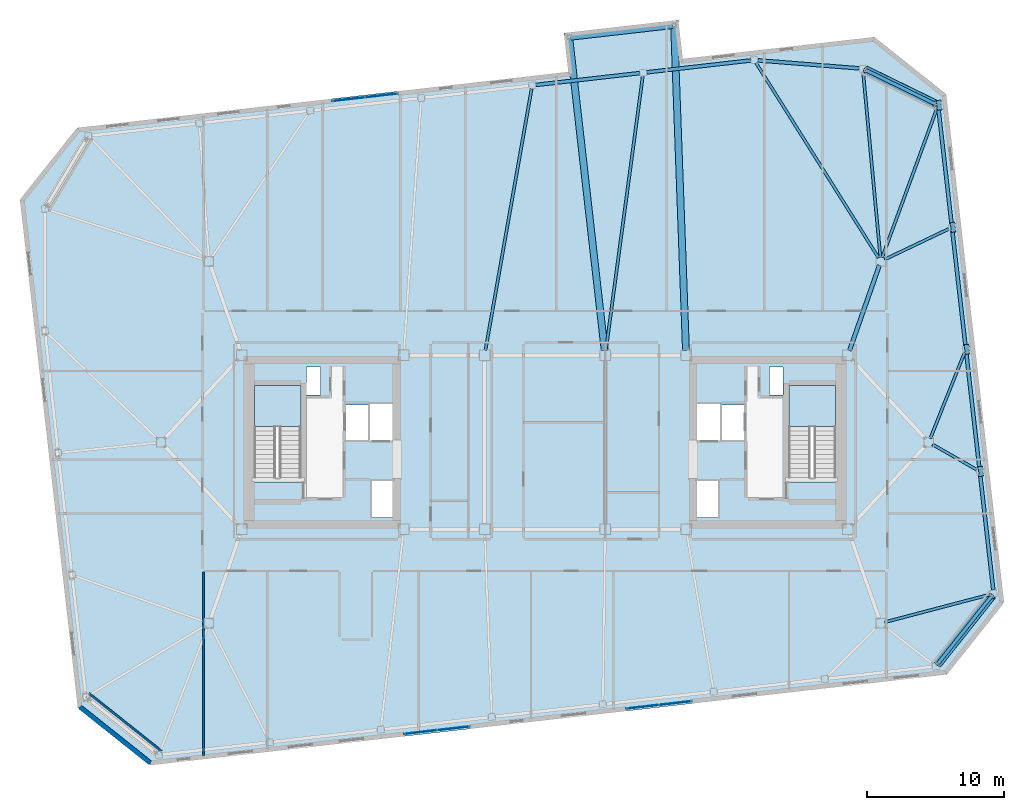
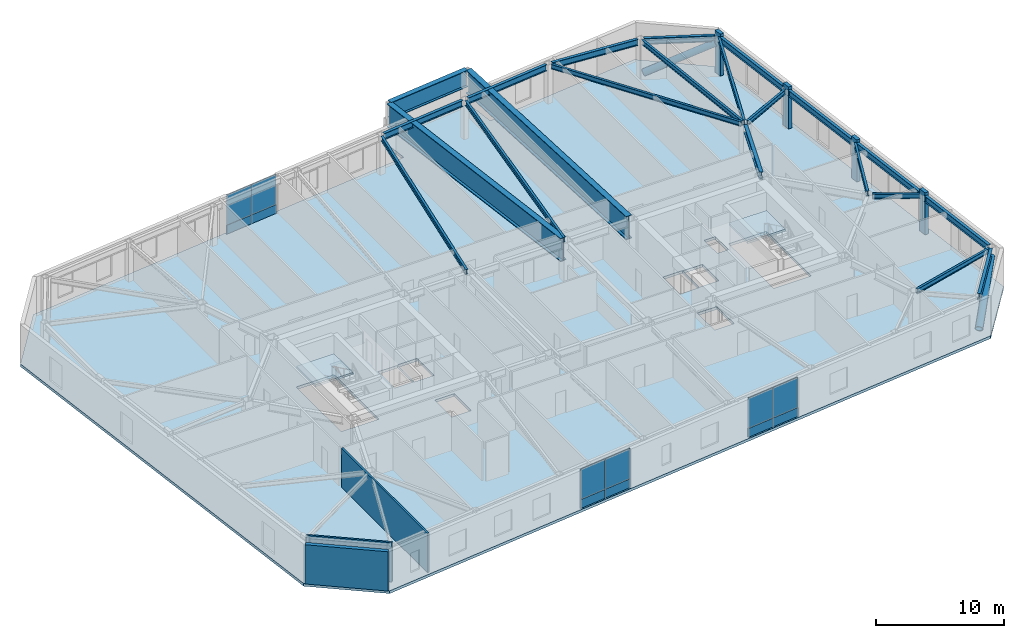
# One storey, part 11 of 19: 22 beams, 12 plates, 6 members, 3 slabs, 3 walls, 5 elements without a shape of their own.
"""IFC4 building model written with IfcOpenShell, lengths in metres."""

from ifc_helpers import new_model, si_unit, direction, frame, frame_2d, origin, origin_2d, place, context, subcontext, project, spatial, polyline, rectangle, hollow_circle, i_section, outline, extrude, material, layer, layer_set, material_profile, profile_set, type_object, element, aggregate, save


model = new_model("IFC4")

# Units and contexts
model_context = context("Model", 3, precision=1e-05, world=origin(), true_north=direction((0.0, 1.0)))
body_context = subcontext(model_context, "Body", "Model", "MODEL_VIEW")
ifc_project = project(units=[si_unit("LENGTHUNIT", "METRE"), si_unit("AREAUNIT", "SQUARE_METRE"), si_unit("VOLUMEUNIT", "CUBIC_METRE"), si_unit("PLANEANGLEUNIT", "RADIAN"), si_unit("MASSUNIT", "GRAM", prefix="KILO")], contexts=[model_context])

# Site, building, storey
site_placement = place(None, origin())
site = spatial("IfcSite", under=ifc_project, at=site_placement, CompositionType="ELEMENT")
building_placement = place(site_placement, origin())
building = spatial("IfcBuilding", under=site, at=building_placement, Name="Tavrogorsk Clinical Tower", CompositionType="ELEMENT")
storey_placement = place(building_placement, frame((0.0, 0.0, 243.0)))
storey = spatial("IfcBuildingStorey", under=building, at=storey_placement, Name="L56", CompositionType="ELEMENT", Elevation=243.0)

# Members
ifc_material_1 = material(Name="Structural steel S440", Category="steel")
ifc_material_profile_1 = material_profile(ifc_material_1, hollow_circle(Radius=0.304931640625, WallThickness=0.02490234375, at=origin_2d()), Name="CHS-610x25")
ifc_profile_set_1 = profile_set([ifc_material_profile_1], Name="Structural steel S440")
member_type_1 = type_object("IfcMemberType", Name="ExoBrace_CHS610", PredefinedType="BRACE", material=ifc_profile_set_1)
member_1_placement = place(storey_placement, frame((28.6572265625, -16.15869140625, 0.398193359375), z_axis=(0.575789482159, 0.723851679348, 0.380138420237), x_axis=(-0.782601910855, 0.622522488852, 0.0)))
element("IfcMember", 1, at=member_1_placement, inside=storey, type_object=member_type_1, Name="L56 Corner Exoskeleton Brace S8-E1", PredefinedType="BRACE", context=body_context, shape_type="SweptSolid", body=[
    extrude(hollow_circle(Radius=0.304931640625, WallThickness=0.02490234375, at=origin_2d()), origin(), (0.0, 0.0, 1.0), 6.8232421875),
])
member_2_placement = place(storey_placement, frame((23.399169921875, 27.150634765625, 0.4072265625), z_axis=(0.817526882464, -0.398699450942, 0.41555811178), x_axis=(0.438340015424, 0.898809229413, 0.0)))
element("IfcMember", 2, at=member_2_placement, inside=storey, type_object=member_type_1, Name="L56 Corner Exoskeleton Brace E5-N1", PredefinedType="BRACE", context=body_context, shape_type="SweptSolid", body=[
    extrude(hollow_circle(Radius=0.304931640625, WallThickness=0.02490234375, at=origin_2d()), origin(), (0.0, 0.0, 1.0), 6.1982421875),
])

# Beams
ifc_material_2 = material(Name="Structural steel S355", Category="steel")
ifc_material_profile_2 = material_profile(ifc_material_2, i_section(OverallWidth=0.199951171875, OverallDepth=0.449951171875, WebThickness=0.011474609375, FlangeThickness=0.01806640625, at=origin_2d()), Name="B-450x200x11.5x18")
ifc_profile_set_2 = profile_set([ifc_material_profile_2], Name="Structural steel S355")
beam_type_1 = type_object("IfcBeamType", Name="FloorBeam_B450", PredefinedType="BEAM", material=ifc_profile_set_2)
beam_1_placement = place(storey_placement, frame((24.47119140625, 13.508544921875, 3.514892578125), z_axis=(-0.092940409745, 0.99567167291, 0.0), x_axis=(-0.99567167291, -0.092940409745, 0.0)))
element("IfcBeam", 3, at=beam_1_placement, inside=storey, type_object=beam_type_1, Name="L56 Radial Floor Beam N1", PredefinedType="BEAM", context=body_context, shape_type="SweptSolid", body=[
    extrude(i_section(OverallWidth=0.199951171875, OverallDepth=0.449951171875, WebThickness=0.011474609375, FlangeThickness=0.01806640625, at=origin_2d()), origin(), (0.0, 0.0, 1.0), 13.546630859375),
])
beam_2_placement = place(storey_placement, frame((24.3349609375, 13.46240234375, 3.514892578125), z_axis=(-0.53234144439, 0.84652973166, 0.0), x_axis=(-0.84652973166, -0.53234144439, 0.0)))
element("IfcBeam", 4, at=beam_2_placement, inside=storey, type_object=beam_type_1, Name="L56 Radial Floor Beam N2", PredefinedType="BEAM", context=body_context, shape_type="SweptSolid", body=[
    extrude(i_section(OverallWidth=0.199951171875, OverallDepth=0.449951171875, WebThickness=0.011474609375, FlangeThickness=0.01806640625, at=origin_2d()), origin(), (0.0, 0.0, 1.0), 16.7734375),
])
beam_3_placement = place(storey_placement, frame((4.447998046875, 6.706787109375, 3.514892578125), z_axis=(0.133328812355, 0.991071858039, 0.0), x_axis=(-0.991071858039, 0.133328812355, 0.0)))
element("IfcBeam", 5, at=beam_3_placement, inside=storey, type_object=beam_type_1, Name="L56 Radial Floor Beam N3", PredefinedType="BEAM", context=body_context, shape_type="SweptSolid", body=[
    extrude(i_section(OverallWidth=0.199951171875, OverallDepth=0.449951171875, WebThickness=0.011474609375, FlangeThickness=0.01806640625, at=origin_2d()), origin(), (0.0, 0.0, 1.0), 20.17529296875),
])
beam_4_placement = place(storey_placement, frame((-4.33740234375, 6.70458984375, 3.514892578125), z_axis=(0.173894614236, 0.984764267802, 0.0), x_axis=(-0.984764267802, 0.173894614236, 0.0)))
element("IfcBeam", 6, at=beam_4_placement, inside=storey, type_object=beam_type_1, Name="L56 Radial Floor Beam N4", PredefinedType="BEAM", context=body_context, shape_type="SweptSolid", body=[
    extrude(i_section(OverallWidth=0.199951171875, OverallDepth=0.449951171875, WebThickness=0.011474609375, FlangeThickness=0.01806640625, at=origin_2d()), origin(), (0.0, 0.0, 1.0), 19.371826171875),
])
beam_5_placement = place(storey_placement, frame((24.7998046875, -13.12109375, 3.514892578125), z_axis=(0.967072149487, 0.254502372652, 0.0), x_axis=(-0.254502372652, 0.967072149487, 0.0)))
element("IfcBeam", 7, at=beam_5_placement, inside=storey, type_object=beam_type_1, Name="L56 Radial Floor Beam E1", PredefinedType="BEAM", context=body_context, shape_type="SweptSolid", body=[
    extrude(i_section(OverallWidth=0.199951171875, OverallDepth=0.449951171875, WebThickness=0.011474609375, FlangeThickness=0.01806640625, at=origin_2d()), origin(), (0.0, 0.0, 1.0), 7.94677734375),
])
beam_6_placement = place(storey_placement, frame((28.26904296875, -0.154052734375, 3.514892578125), z_axis=(0.867782232017, -0.49694466271, 0.0), x_axis=(0.49694466271, 0.867782232017, 0.0)))
element("IfcBeam", 8, at=beam_6_placement, inside=storey, type_object=beam_type_1, Name="L56 Radial Floor Beam E2", PredefinedType="BEAM", context=body_context, shape_type="SweptSolid", body=[
    extrude(i_section(OverallWidth=0.199951171875, OverallDepth=0.449951171875, WebThickness=0.011474609375, FlangeThickness=0.01806640625, at=origin_2d()), origin(), (0.0, 0.0, 1.0), 3.718994140625),
])
beam_7_placement = place(storey_placement, frame((28.114990234375, 0.287841796875, 3.514892578125), z_axis=(0.371052625529, 0.928611839838, 0.0), x_axis=(-0.928611839838, 0.371052625529, 0.0)))
element("IfcBeam", 9, at=beam_7_placement, inside=storey, type_object=beam_type_1, Name="L56 Radial Floor Beam E3", PredefinedType="BEAM", context=body_context, shape_type="SweptSolid", body=[
    extrude(i_section(OverallWidth=0.199951171875, OverallDepth=0.449951171875, WebThickness=0.011474609375, FlangeThickness=0.01806640625, at=origin_2d()), origin(), (0.0, 0.0, 1.0), 6.724365234375),
])
beam_8_placement = place(storey_placement, frame((24.77978515625, 13.333251953125, 3.514892578125), z_axis=(0.90270896244, 0.43025170439, 0.0), x_axis=(-0.43025170439, 0.90270896244, 0.0)))
element("IfcBeam", 10, at=beam_8_placement, inside=storey, type_object=beam_type_1, Name="L56 Radial Floor Beam E4", PredefinedType="BEAM", context=body_context, shape_type="SweptSolid", body=[
    extrude(i_section(OverallWidth=0.199951171875, OverallDepth=0.449951171875, WebThickness=0.011474609375, FlangeThickness=0.01806640625, at=origin_2d()), origin(), (0.0, 0.0, 1.0), 5.182861328125),
])
beam_9_placement = place(storey_placement, frame((24.60693359375, 13.490966796875, 3.514892578125), z_axis=(0.34467380093, 0.938722520744, 0.0), x_axis=(-0.938722520744, 0.34467380093, 0.0)))
element("IfcBeam", 11, at=beam_9_placement, inside=storey, type_object=beam_type_1, Name="L56 Radial Floor Beam E5", PredefinedType="BEAM", context=body_context, shape_type="SweptSolid", body=[
    extrude(i_section(OverallWidth=0.199951171875, OverallDepth=0.449951171875, WebThickness=0.011474609375, FlangeThickness=0.01806640625, at=origin_2d()), origin(), (0.0, 0.0, 1.0), 11.55126953125),
])

# Members
ifc_material_3 = material(Name="Precast concrete B45 with limestone cladding", Category="masonry")
ifc_material_profile_3 = material_profile(ifc_material_3, rectangle(XDim=0.320068359375, YDim=0.719970703125, at=origin_2d()), Name="LIMESTONE-FIN-320x720")
ifc_profile_set_3 = profile_set([ifc_material_profile_3], Name="Precast concrete B45 with limestone cladding")
member_type_2 = type_object("IfcMemberType", Name="LimestonePleatFin_320x720", PredefinedType="USERDEFINED", material=ifc_profile_set_3)
for number, where, z_axis, x_axis, name in (
    (12, (31.799560546875, -2.121337890625, 0.0), (0.0, 0.0, 1.0), (0.993571855677, 0.113203213768, 0.0), "L56 E Pleated Stone Fin 1"),
    (13, (30.785400390625, 6.781005859375, 0.0), (0.0, 0.0, 1.0), (0.993571855677, 0.113203213768, 0.0), "L56 E Pleated Stone Fin 2"),
    (14, (29.77099609375, 15.683349609375, 0.0), (0.0, 0.0, 1.0), (0.993571855677, 0.113203213768, 0.0), "L56 E Pleated Stone Fin 3"),
    (15, (28.756591796875, 24.585693359375, 0.0), (0.0, 0.0, 1.0), (0.993571855677, 0.113203213768, 0.0), "L56 E Pleated Stone Fin 4"),
):
    element("IfcMember", number, at=place(storey_placement, frame(where, z_axis=z_axis, x_axis=x_axis)), inside=storey, type_object=member_type_2, Name=name, ObjectType="FIN", PredefinedType="USERDEFINED", context=body_context, shape_type="SweptSolid", body=[
        extrude(rectangle(XDim=0.320068359375, YDim=0.719970703125, at=origin_2d()), origin(), (0.0, 0.0, 1.0), 4.0),
    ])

# Beams
ifc_material_4 = material(Name="Structural steel S390", Category="steel")
ifc_material_profile_4 = material_profile(ifc_material_4, i_section(OverallWidth=0.300048828125, OverallDepth=0.699951171875, WebThickness=0.01708984375, FlangeThickness=0.028076171875, at=origin_2d()), Name="B-700x300x17x28")
ifc_profile_set_4 = profile_set([ifc_material_profile_4], Name="Structural steel S390")
beam_type_2 = type_object("IfcBeamType", Name="PrimaryGirder_B700", PredefinedType="USERDEFINED", material=ifc_profile_set_4)
beam_10_placement = place(storey_placement, frame((24.3974609375, 12.907470703125, 3.389892578125), z_axis=(-0.330654121425, -0.943752007672, 0.0), x_axis=(0.943752007672, -0.330654121425, 0.0)))
element("IfcBeam", 16, at=beam_10_placement, inside=storey, type_object=beam_type_2, Name="L56 Spine Link Girder OPG-4", ObjectType="GIRDER", PredefinedType="USERDEFINED", context=body_context, shape_type="SweptSolid", body=[
    extrude(i_section(OverallWidth=0.300048828125, OverallDepth=0.699951171875, WebThickness=0.01708984375, FlangeThickness=0.028076171875, at=origin_2d()), origin(), (0.0, 0.0, 1.0), 6.58837890625),
])
ifc_material_5 = material(Name="Structural steel S390", Category="steel")
ifc_material_profile_5 = material_profile(ifc_material_5, i_section(OverallWidth=0.260009765625, OverallDepth=0.60009765625, WebThickness=0.014892578125, FlangeThickness=0.02392578125, at=origin_2d()), Name="B-600x260x15x24")
ifc_profile_set_5 = profile_set([ifc_material_profile_5], Name="Structural steel S390")
beam_type_3 = type_object("IfcBeamType", Name="SpandrelBeam_B600", PredefinedType="SPANDREL", material=ifc_profile_set_5)
beam_11_placement = place(storey_placement, frame((28.669189453125, -16.1435546875, 3.43994140625), z_axis=(0.622513813188, 0.782608811853, 0.0), x_axis=(-0.782608811853, 0.622513813188, 0.0)))
element("IfcBeam", 17, at=beam_11_placement, inside=storey, type_object=beam_type_3, Name="L56 Perimeter Spandrel S8-E1", PredefinedType="SPANDREL", context=body_context, shape_type="SweptSolid", body=[
    extrude(i_section(OverallWidth=0.260009765625, OverallDepth=0.60009765625, WebThickness=0.014892578125, FlangeThickness=0.02392578125, at=origin_2d()), origin(), (0.0, 0.0, 1.0), 6.272216796875),
])
for number, where, z_axis, x_axis, name in (
    (18, (32.705078125, -10.776611328125, 3.43994140625), (-0.113191877531, 0.993573147212, 0.0), (-0.993573147212, -0.113191877531, 0.0), "L56 Perimeter Spandrel E1-E2"),
    (19, (31.69091796875, -1.874267578125, 3.43994140625), (-0.113191877531, 0.993573147212, 0.0), (-0.993573147212, -0.113191877531, 0.0), "L56 Perimeter Spandrel E2-E3"),
):
    element("IfcBeam", number, at=place(storey_placement, frame(where, z_axis=z_axis, x_axis=x_axis)), inside=storey, type_object=beam_type_3, Name=name, PredefinedType="SPANDREL", context=body_context, shape_type="SweptSolid", body=[
        extrude(i_section(OverallWidth=0.260009765625, OverallDepth=0.60009765625, WebThickness=0.014892578125, FlangeThickness=0.02392578125, at=origin_2d()), origin(), (0.0, 0.0, 1.0), 8.444091796875),
    ])
for number, where, z_axis, x_axis, name in (
    (20, (30.676513671875, 7.0283203125, 3.43994140625), (-0.113195129234, 0.99357277676, 0.0), (-0.99357277676, -0.113195129234, 0.0), "L56 Perimeter Spandrel E3-E4"),
    (21, (29.662353515625, 15.9306640625, 3.43994140625), (-0.113223671813, 0.993569524563, 0.0), (-0.993569524563, -0.113223671813, 0.0), "L56 Perimeter Spandrel E4-E5"),
):
    element("IfcBeam", number, at=place(storey_placement, frame(where, z_axis=z_axis, x_axis=x_axis)), inside=storey, type_object=beam_type_3, Name=name, PredefinedType="SPANDREL", context=body_context, shape_type="SweptSolid", body=[
        extrude(i_section(OverallWidth=0.260009765625, OverallDepth=0.60009765625, WebThickness=0.014892578125, FlangeThickness=0.02392578125, at=origin_2d()), origin(), (0.0, 0.0, 1.0), 8.44384765625),
    ])
beam_12_placement = place(storey_placement, frame((28.4453125, 24.689697265625, 3.43994140625), z_axis=(-0.898811248667, 0.438335874951, 0.0), x_axis=(-0.438335874951, -0.898811248667, 0.0)))
element("IfcBeam", 22, at=beam_12_placement, inside=storey, type_object=beam_type_3, Name="L56 Perimeter Spandrel E5-N1", PredefinedType="SPANDREL", context=body_context, shape_type="SweptSolid", body=[
    extrude(i_section(OverallWidth=0.260009765625, OverallDepth=0.60009765625, WebThickness=0.014892578125, FlangeThickness=0.02392578125, at=origin_2d()), origin(), (0.0, 0.0, 1.0), 5.5908203125),
])
beam_13_placement = place(storey_placement, frame((22.930908203125, 27.273681640625, 3.43994140625), z_axis=(-0.996881705424, 0.078910489738, 0.0), x_axis=(-0.078910489738, -0.996881705424, 0.0)))
element("IfcBeam", 23, at=beam_13_placement, inside=storey, type_object=beam_type_3, Name="L56 Perimeter Spandrel N1-N2", PredefinedType="SPANDREL", context=body_context, shape_type="SweptSolid", body=[
    extrude(i_section(OverallWidth=0.260009765625, OverallDepth=0.60009765625, WebThickness=0.014892578125, FlangeThickness=0.02392578125, at=origin_2d()), origin(), (0.0, 0.0, 1.0), 7.428466796875),
])
for number, where, z_axis, x_axis, name in (
    (24, (15.01220703125, 27.850830078125, 3.43994140625), (-0.993572099834, -0.113201070804, 0.0), (0.113201070804, -0.993572099834, 0.0), "L56 Perimeter Spandrel N2-N3"),
    (25, (6.916015625, 26.928466796875, 3.43994140625), (-0.993572099834, -0.113201070804, 0.0), (0.113201070804, -0.993572099834, 0.0), "L56 Perimeter Spandrel N3-N4"),
):
    element("IfcBeam", number, at=place(storey_placement, frame(where, z_axis=z_axis, x_axis=x_axis)), inside=storey, type_object=beam_type_3, Name=name, PredefinedType="SPANDREL", context=body_context, shape_type="SweptSolid", body=[
        extrude(i_section(OverallWidth=0.260009765625, OverallDepth=0.60009765625, WebThickness=0.014892578125, FlangeThickness=0.02392578125, at=origin_2d()), origin(), (0.0, 0.0, 1.0), 7.632568359375),
    ])
ifc_material_6 = material(Name="Structural steel S440", Category="steel")
ifc_material_profile_6 = material_profile(ifc_material_6, i_section(OverallWidth=0.449951171875, OverallDepth=1.60009765625, WebThickness=0.031982421875, FlangeThickness=0.050048828125, at=origin_2d()), Name="DK-1600x450x32x50")
ifc_profile_set_6 = profile_set([ifc_material_profile_6], Name="Structural steel S440")
beam_type_4 = type_object("IfcBeamType", Name="TransferGirder_DK1600", PredefinedType="USERDEFINED", material=ifc_profile_set_6)
beam_14_placement = place(storey_placement, frame((1.891357421875, 29.556396484375, 2.93994140625), z_axis=(0.993572168801, 0.113200465477, 0.0), x_axis=(-0.113200465477, 0.993572168801, 0.0)))
element("IfcBeam", 26, at=beam_14_placement, inside=storey, type_object=beam_type_4, Name="L56 Day-Room Front Edge Beam DRB-08", ObjectType="GIRDER", PredefinedType="USERDEFINED", context=body_context, shape_type="SweptSolid", body=[
    extrude(i_section(OverallWidth=0.449951171875, OverallDepth=1.60009765625, WebThickness=0.031982421875, FlangeThickness=0.050048828125, at=origin_2d()), origin(), (0.0, 0.0, 1.0), 7.4599609375),
])
ifc_material_7 = material(Name="Structural steel S440", Category="steel")
ifc_material_profile_7 = material_profile(ifc_material_7, i_section(OverallWidth=0.5, OverallDepth=2.199951171875, WebThickness=0.035888671875, FlangeThickness=0.054931640625, at=origin_2d()), Name="DK-2200x500x36x55")
ifc_profile_set_7 = profile_set([ifc_material_profile_7], Name="Structural steel S440")
beam_type_5 = type_object("IfcBeamType", Name="TransferGirder_DK2200", PredefinedType="USERDEFINED", material=ifc_profile_set_7)
beam_15_placement = place(storey_placement, frame((4.359375, 6.707763671875, 2.639892578125), z_axis=(-0.112582800014, 0.993642346693, 0.0), x_axis=(-0.993642346693, -0.112582800014, 0.0)))
element("IfcBeam", 27, at=beam_15_placement, inside=storey, type_object=beam_type_5, Name="L56 Day-Room Cantilever Beam DRB-08-L", ObjectType="GIRDER", PredefinedType="USERDEFINED", context=body_context, shape_type="SweptSolid", body=[
    extrude(i_section(OverallWidth=0.5, OverallDepth=2.199951171875, WebThickness=0.035888671875, FlangeThickness=0.054931640625, at=origin_2d()), origin(), (0.0, 0.0, 1.0), 22.84130859375),
])
beam_16_placement = place(storey_placement, frame((10.286865234375, 6.709716796875, 2.639892578125), z_axis=(-0.036433803954, 0.999336068562, 0.0), x_axis=(-0.999336068562, -0.036433803954, 0.0)))
element("IfcBeam", 28, at=beam_16_placement, inside=storey, type_object=beam_type_5, Name="L56 Day-Room Cantilever Beam DRB-08-R", ObjectType="GIRDER", PredefinedType="USERDEFINED", context=body_context, shape_type="SweptSolid", body=[
    extrude(i_section(OverallWidth=0.5, OverallDepth=2.199951171875, WebThickness=0.035888671875, FlangeThickness=0.054931640625, at=origin_2d()), origin(), (0.0, 0.0, 1.0), 23.58056640625),
])

# Curtain wall, plates
ifc_material_8 = material(Name="Anodised aluminium and triple IGU glazing", Category="aluminium")
ifc_layer_1 = layer(ifc_material_8, 0.179931640625)
ifc_layer_set_1 = layer_set([ifc_layer_1], Name="Anodised aluminium and triple IGU glazing")
curtain_wall_type_1 = type_object("IfcCurtainWallType", Name="CW3_SouthSlot", PredefinedType="NOTDEFINED", material=ifc_layer_set_1)
curtain_wall_1_placement = place(storey_placement, origin())
curtain_wall_1 = element("IfcCurtainWall", 29, at=curtain_wall_1_placement, inside=storey, type_object=curtain_wall_type_1, Name="L56 Curtain Wall CW-L56-S-SLOT-1", PredefinedType="NOTDEFINED")
ifc_material_9 = material(Name="Honed Podolsk limestone spandrel panel", Category="masonry")
ifc_layer_2 = layer(ifc_material_9, 0.080078125)
ifc_layer_set_2 = layer_set([ifc_layer_2], Name="Honed Podolsk limestone spandrel panel")
plate_type_1 = type_object("IfcPlateType", Name="CwSpandrelStonePanel_80", PredefinedType="CURTAIN_PANEL", material=ifc_layer_set_2)
plate_1_placement = place(storey_placement, frame((-9.066650390625, -21.139892578125, 0.001953125), z_axis=(0.0, 0.0, 1.0), x_axis=(0.993571855603, 0.11320321441, 0.0)))
plate_1 = element("IfcPlate", 30, at=plate_1_placement, type_object=plate_type_1, Name="CW-L56-S-SLOT-1 Stone Spandrel Panel 1", PredefinedType="CURTAIN_PANEL", context=body_context, shape_type="SweptSolid", body=[
    extrude(rectangle(XDim=2.39208984375, YDim=0.080078125, at=origin_2d()), origin(), (0.0, 0.0, 1.0), 0.8359375),
])
plate_2_placement = place(storey_placement, frame((-6.666259765625, -20.866455078125, 0.001953125), z_axis=(0.0, 0.0, 1.0), x_axis=(0.993571855603, 0.11320321441, 0.0)))
plate_2 = element("IfcPlate", 31, at=plate_2_placement, type_object=plate_type_1, Name="CW-L56-S-SLOT-1 Stone Spandrel Panel 2", PredefinedType="CURTAIN_PANEL", context=body_context, shape_type="SweptSolid", body=[
    extrude(rectangle(XDim=2.39208984375, YDim=0.080078125, at=origin_2d()), origin(), (0.0, 0.0, 1.0), 0.8359375),
])

curtain_wall_2_placement = place(storey_placement, origin())
curtain_wall_2 = element("IfcCurtainWall", 32, at=curtain_wall_2_placement, inside=storey, type_object=curtain_wall_type_1, Name="L56 Curtain Wall CW-L56-S-SLOT-2", PredefinedType="NOTDEFINED")
plate_3_placement = place(storey_placement, frame((7.125732421875, -19.294921875, 0.001953125), z_axis=(0.0, 0.0, 1.0), x_axis=(0.993571855603, 0.11320321441, 0.0)))
plate_3 = element("IfcPlate", 33, at=plate_3_placement, type_object=plate_type_1, Name="CW-L56-S-SLOT-2 Stone Spandrel Panel 1", PredefinedType="CURTAIN_PANEL", context=body_context, shape_type="SweptSolid", body=[
    extrude(rectangle(XDim=2.39208984375, YDim=0.080078125, at=origin_2d()), origin(), (0.0, 0.0, 1.0), 0.8359375),
])
plate_4_placement = place(storey_placement, frame((9.526123046875, -19.021484375, 0.001953125), z_axis=(0.0, 0.0, 1.0), x_axis=(0.993571855603, 0.11320321441, 0.0)))
plate_4 = element("IfcPlate", 34, at=plate_4_placement, type_object=plate_type_1, Name="CW-L56-S-SLOT-2 Stone Spandrel Panel 2", PredefinedType="CURTAIN_PANEL", context=body_context, shape_type="SweptSolid", body=[
    extrude(rectangle(XDim=2.39208984375, YDim=0.080078125, at=origin_2d()), origin(), (0.0, 0.0, 1.0), 0.8359375),
])

ifc_material_10 = material(Name="Anodised aluminium and triple IGU glazing", Category="aluminium")
ifc_layer_3 = layer(ifc_material_10, 0.179931640625)
ifc_layer_set_3 = layer_set([ifc_layer_3], Name="Anodised aluminium and triple IGU glazing")
curtain_wall_type_2 = type_object("IfcCurtainWallType", Name="CW2_NorthSlot", PredefinedType="NOTDEFINED", material=ifc_layer_set_3)
curtain_wall_3_placement = place(storey_placement, origin())
curtain_wall_3 = element("IfcCurtainWall", 35, at=curtain_wall_3_placement, inside=storey, type_object=curtain_wall_type_2, Name="L56 Curtain Wall CW-L56-N-SLOT-1", PredefinedType="NOTDEFINED")
plate_5_placement = place(storey_placement, frame((-11.92578125, 25.294921875, 0.001953125), z_axis=(0.0, 0.0, 1.0), x_axis=(-0.993571855603, -0.11320321441, 0.0)))
plate_5 = element("IfcPlate", 36, at=plate_5_placement, type_object=plate_type_1, Name="CW-L56-N-SLOT-1 Stone Spandrel Panel 1", PredefinedType="CURTAIN_PANEL", context=body_context, shape_type="SweptSolid", body=[
    extrude(rectangle(XDim=2.39208984375, YDim=0.080078125, at=origin_2d()), origin(), (0.0, 0.0, 1.0), 0.8359375),
])
plate_6_placement = place(storey_placement, frame((-14.326171875, 25.021484375, 0.001953125), z_axis=(0.0, 0.0, 1.0), x_axis=(-0.993571855603, -0.11320321441, 0.0)))
plate_6 = element("IfcPlate", 37, at=plate_6_placement, type_object=plate_type_1, Name="CW-L56-N-SLOT-1 Stone Spandrel Panel 2", PredefinedType="CURTAIN_PANEL", context=body_context, shape_type="SweptSolid", body=[
    extrude(rectangle(XDim=2.39208984375, YDim=0.080078125, at=origin_2d()), origin(), (0.0, 0.0, 1.0), 0.8359375),
])

# Plate
ifc_material_11 = material(Name="Triple low-E argon insulated glass", Category="glass")
ifc_layer_4 = layer(ifc_material_11, 0.048095703125)
ifc_layer_set_4 = layer_set([ifc_layer_4], Name="Triple low-E argon insulated glass")
plate_type_2 = type_object("IfcPlateType", Name="CwVisionGlassPanel_48", PredefinedType="CURTAIN_PANEL", material=ifc_layer_set_4)
plate_7_placement = place(storey_placement, frame((-9.066650390625, -21.139892578125, 0.862060546875), z_axis=(0.0, 0.0, 1.0), x_axis=(0.993571855603, 0.11320321441, 0.0)))
plate_7 = element("IfcPlate", 38, at=plate_7_placement, type_object=plate_type_2, Name="CW-L56-S-SLOT-1 Glazing Panel 1", PredefinedType="CURTAIN_PANEL", context=body_context, shape_type="SweptSolid", body=[
    extrude(rectangle(XDim=2.39208984375, YDim=0.048095703125, at=origin_2d()), origin(), (0.0, 0.0, 1.0), 2.8759765625),
])

plate_8_placement = place(storey_placement, frame((-6.666259765625, -20.866455078125, 0.862060546875), z_axis=(0.0, 0.0, 1.0), x_axis=(0.993571855603, 0.11320321441, 0.0)))
plate_8 = element("IfcPlate", 39, at=plate_8_placement, type_object=plate_type_2, Name="CW-L56-S-SLOT-1 Glazing Panel 2", PredefinedType="CURTAIN_PANEL", context=body_context, shape_type="SweptSolid", body=[
    extrude(rectangle(XDim=2.39208984375, YDim=0.048095703125, at=origin_2d()), origin(), (0.0, 0.0, 1.0), 2.8759765625),
])

aggregate(curtain_wall_1, [plate_1, plate_7, plate_2, plate_8])

plate_9_placement = place(storey_placement, frame((7.125732421875, -19.294921875, 0.862060546875), z_axis=(0.0, 0.0, 1.0), x_axis=(0.993571855603, 0.11320321441, 0.0)))
plate_9 = element("IfcPlate", 40, at=plate_9_placement, type_object=plate_type_2, Name="CW-L56-S-SLOT-2 Glazing Panel 1", PredefinedType="CURTAIN_PANEL", context=body_context, shape_type="SweptSolid", body=[
    extrude(rectangle(XDim=2.39208984375, YDim=0.048095703125, at=origin_2d()), origin(), (0.0, 0.0, 1.0), 2.8759765625),
])

plate_10_placement = place(storey_placement, frame((9.526123046875, -19.021484375, 0.862060546875), z_axis=(0.0, 0.0, 1.0), x_axis=(0.993571855603, 0.11320321441, 0.0)))
plate_10 = element("IfcPlate", 41, at=plate_10_placement, type_object=plate_type_2, Name="CW-L56-S-SLOT-2 Glazing Panel 2", PredefinedType="CURTAIN_PANEL", context=body_context, shape_type="SweptSolid", body=[
    extrude(rectangle(XDim=2.39208984375, YDim=0.048095703125, at=origin_2d()), origin(), (0.0, 0.0, 1.0), 2.8759765625),
])

aggregate(curtain_wall_2, [plate_3, plate_9, plate_4, plate_10])

plate_11_placement = place(storey_placement, frame((-11.92578125, 25.294921875, 0.862060546875), z_axis=(0.0, 0.0, 1.0), x_axis=(-0.993571855603, -0.11320321441, 0.0)))
plate_11 = element("IfcPlate", 42, at=plate_11_placement, type_object=plate_type_2, Name="CW-L56-N-SLOT-1 Glazing Panel 1", PredefinedType="CURTAIN_PANEL", context=body_context, shape_type="SweptSolid", body=[
    extrude(rectangle(XDim=2.39208984375, YDim=0.048095703125, at=origin_2d()), origin(), (0.0, 0.0, 1.0), 2.8759765625),
])

plate_12_placement = place(storey_placement, frame((-14.326171875, 25.021484375, 0.862060546875), z_axis=(0.0, 0.0, 1.0), x_axis=(-0.993571855603, -0.11320321441, 0.0)))
plate_12 = element("IfcPlate", 43, at=plate_12_placement, type_object=plate_type_2, Name="CW-L56-N-SLOT-1 Glazing Panel 2", PredefinedType="CURTAIN_PANEL", context=body_context, shape_type="SweptSolid", body=[
    extrude(rectangle(XDim=2.39208984375, YDim=0.048095703125, at=origin_2d()), origin(), (0.0, 0.0, 1.0), 2.8759765625),
])

aggregate(curtain_wall_3, [plate_5, plate_11, plate_6, plate_12])

# Stair, slab
ifc_material_12 = material(Name="Concrete B60", Category="concrete")
stair_type = type_object("IfcStairType", Name="CoreStairAssembly", PredefinedType="HALF_TURN_STAIR", material=ifc_material_12)
stair_1_placement = place(storey_placement, origin())
stair_1 = element("IfcStair", 44, at=stair_1_placement, inside=storey, type_object=stair_type, Name="L56 ST-W", PredefinedType="HALF_TURN_STAIR")
ifc_material_13 = material(Name="Concrete B60", Category="concrete")
ifc_layer_5 = layer(ifc_material_13, 0.199951171875)
ifc_layer_set_5 = layer_set([ifc_layer_5], Name="Concrete B60")
slab_type_1 = type_object("IfcSlabType", Name="StairLanding_200", PredefinedType="LANDING", material=ifc_layer_set_5)
slab_1_placement = place(storey_placement, frame((0.0, 0.0, 1.800048828125)))
slab_1 = element("IfcSlab", 45, at=slab_1_placement, type_object=slab_type_1, Name="ST-W landing 1", PredefinedType="LANDING", context=body_context, shape_type="SweptSolid", body=[
    extrude(outline(polyline([(-17.800048828125, 1.1650390625), (-17.800048828125, 4.125), (-21.199951171875, 4.125), (-21.199951171875, 1.1650390625), (-17.800048828125, 1.1650390625)])), origin(), (0.0, 0.0, 1.0), 0.199951171875),
])
aggregate(stair_1, [slab_1])

stair_2_placement = place(storey_placement, origin())
stair_2 = element("IfcStair", 46, at=stair_2_placement, inside=storey, type_object=stair_type, Name="L56 ST-E", PredefinedType="HALF_TURN_STAIR")
slab_2_placement = place(storey_placement, frame((0.0, 0.0, 1.800048828125)))
slab_2 = element("IfcSlab", 47, at=slab_2_placement, type_object=slab_type_1, Name="ST-E landing 1", PredefinedType="LANDING", context=body_context, shape_type="SweptSolid", body=[
    extrude(outline(polyline([(21.199951171875, 1.1650390625), (21.199951171875, 4.125), (17.800048828125, 4.125), (17.800048828125, 1.1650390625), (21.199951171875, 1.1650390625)])), origin(), (0.0, 0.0, 1.0), 0.199951171875),
])
aggregate(stair_2, [slab_2])

# Slab
ifc_material_14 = material(Name="Concrete B60", Category="concrete")
ifc_layer_6 = layer(ifc_material_14, 0.260009765625)
ifc_layer_set_6 = layer_set([ifc_layer_6], Name="Concrete B60")
slab_type_2 = type_object("IfcSlabType", Name="WardSlab_260", PredefinedType="FLOOR", material=ifc_layer_set_6)
slab_3_placement = place(storey_placement, frame((0.0, 0.0, -0.260009765625)))
element("IfcSlab", 48, at=slab_3_placement, inside=storey, type_object=slab_type_2, Name="L56 Structural Slab", PredefinedType="FLOOR", context=body_context, shape_type="SweptSolid", body=[
    extrude(outline(polyline([(23.96337890625, 29.55517578125), (29.27587890625, 25.329345703125), (33.487060546875, -11.631591796875), (29.26123046875, -16.944091796875), (-28.76318359375, -23.55517578125), (-34.075927734375, -19.329345703125), (-38.287109375, 17.631591796875), (-34.061279296875, 22.944091796875), (1.707275390625, 27.019287109375), (1.384765625, 29.85107421875), (9.730712890625, 30.802001953125), (10.05322265625, 27.97021484375), (23.96337890625, 29.55517578125)]), holes=[polyline([(-17.800048828125, -2.8798828125), (-17.800048828125, 4.125), (-21.199951171875, 4.125), (-21.199951171875, -2.8798828125), (-17.800048828125, -2.8798828125)]), polyline([(21.199951171875, -2.8798828125), (21.199951171875, 4.125), (17.800048828125, 4.125), (17.800048828125, -2.8798828125), (21.199951171875, -2.8798828125)]), polyline([(-14.6201171875, 0.169921875), (-12.860107421875, 0.169921875), (-12.860107421875, 2.72998046875), (-14.6201171875, 2.72998046875), (-14.6201171875, 0.169921875)]), polyline([(-12.72998046875, -5.47998046875), (-10.969970703125, -5.47998046875), (-10.969970703125, -2.820068359375), (-12.72998046875, -2.820068359375), (-12.72998046875, -5.47998046875)]), polyline([(-12.840087890625, 0.1201171875), (-11.080078125, 0.1201171875), (-11.080078125, 2.780029296875), (-12.840087890625, 2.780029296875), (-12.840087890625, 0.1201171875)]), polyline([(12.860107421875, 0.169921875), (14.6201171875, 0.169921875), (14.6201171875, 2.72998046875), (12.860107421875, 2.72998046875), (12.860107421875, 0.169921875)]), polyline([(10.969970703125, -5.47998046875), (12.72998046875, -5.47998046875), (12.72998046875, -2.820068359375), (10.969970703125, -2.820068359375), (10.969970703125, -5.47998046875)]), polyline([(11.080078125, 0.1201171875), (12.840087890625, 0.1201171875), (12.840087890625, 2.780029296875), (11.080078125, 2.780029296875), (11.080078125, 0.1201171875)]), polyline([(-17.3798828125, 3.449951171875), (-16.3798828125, 3.449951171875), (-16.3798828125, 5.5), (-17.3798828125, 5.5), (-17.3798828125, 3.449951171875)]), polyline([(16.3798828125, 3.449951171875), (17.3798828125, 3.449951171875), (17.3798828125, 5.5), (16.3798828125, 5.5), (16.3798828125, 3.449951171875)])]), origin(), (0.0, 0.0, 1.0), 0.260009765625),
])

# Walls
ifc_material_15 = material(Name="Lightweight concrete blockwork B15", Category="masonry")
ifc_layer_7 = layer(ifc_material_15, 0.159912109375)
ifc_layer_set_7 = layer_set([ifc_layer_7], Name="Lightweight concrete blockwork B15")
wall_type_1 = type_object("IfcWallType", Name="PartitionWall_160", PredefinedType="PARTITIONING", material=ifc_layer_set_7)
wall_1_placement = place(storey_placement, frame((-33.265380859375, -18.310546875, 0.0), z_axis=(0.0, 0.0, 1.0), x_axis=(0.782602647064, -0.622521563328, 0.0)))
element("IfcWall", 49, at=wall_1_placement, inside=storey, type_object=wall_type_1, Name="L56 Corner Exoskeleton Brace Furring Wall 4", PredefinedType="PARTITIONING", context=body_context, shape_type="SweptSolid", body=[
    extrude(rectangle(XDim=6.788330078125, YDim=0.159912109375, at=frame_2d((3.39404296875, 0.0))), origin(), (0.0, 0.0, 1.0), 3.739990234375),
])
wall_2_placement = place(storey_placement, frame((-24.89990234375, -22.873291015625, 0.0), z_axis=(0.0, 0.0, 1.0), x_axis=(0.0, 1.0, 0.0)))
element("IfcWall", 50, at=wall_2_placement, inside=storey, type_object=wall_type_1, Name="L56 SW Wing Closure Partition", PredefinedType="PARTITIONING", context=body_context, shape_type="SweptSolid", body=[
    extrude(rectangle(XDim=13.408203125, YDim=0.159912109375, at=frame_2d((6.7041015625, 0.0))), origin(), (0.0, 0.0, 1.0), 3.739990234375),
])
ifc_material_16 = material(Name="Precast concrete B45 with limestone cladding", Category="masonry")
ifc_layer_8 = layer(ifc_material_16, 0.340087890625)
ifc_layer_set_8 = layer_set([ifc_layer_8], Name="Precast concrete B45 with limestone cladding")
wall_type_2 = type_object("IfcWallType", Name="PrecastLimestoneWall_340", PredefinedType="STANDARD", material=ifc_layer_set_8)
wall_3_placement = place(storey_placement, frame((-33.906982421875, -19.31005859375, 0.0), z_axis=(0.0, 0.0, 1.0), x_axis=(0.782611787794, -0.622510071892, 0.0)))
element("IfcWall", 51, at=wall_3_placement, inside=storey, type_object=wall_type_2, Name="L56 Chamfered Corner Wall 4", PredefinedType="STANDARD", context=body_context, shape_type="SweptSolid", body=[
    extrude(rectangle(XDim=6.5478515625, YDim=0.340087890625, at=frame_2d((3.27392578125, 0.0))), origin(), (0.0, 0.0, 1.0), 3.739990234375),
])

save(model, "model.ifc")
